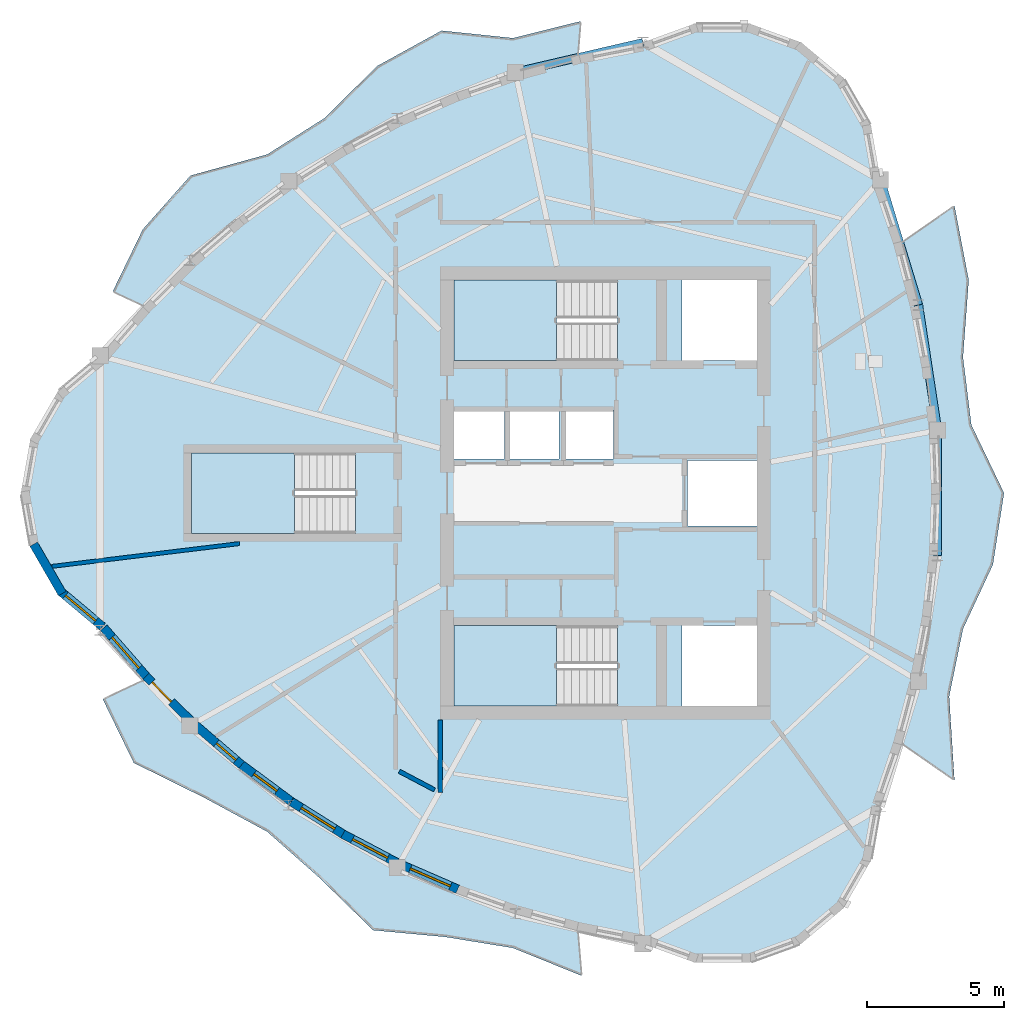
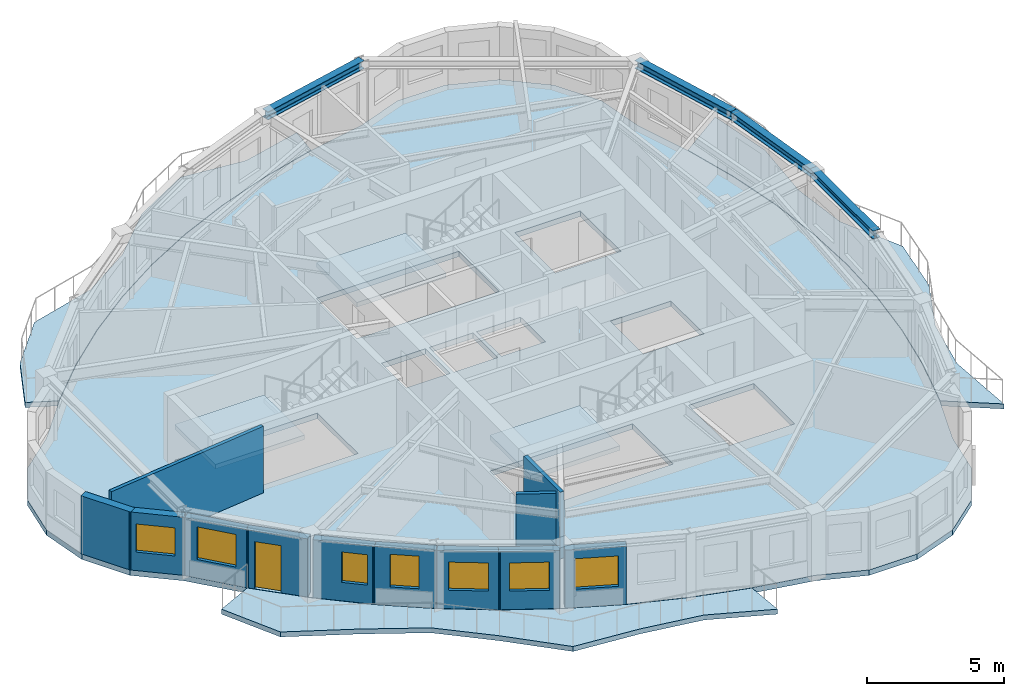
# One storey, part 2 of 11: 12 walls, 7 slabs, 7 windows, 4 beams, 1 door, 8 openings, 3 elements without a shape of their own.
"""IFC4 building model written with IfcOpenShell, lengths in metres."""

from ifc_helpers import new_model, si_unit, direction, frame, frame_2d, origin, origin_2d, place, context, subcontext, project, spatial, polyline, rectangle, i_section, outline, extrude, source, transform, mapped, material, layer, layer_set, material_profile, profile_set, type_object, element, fill, aggregate, save


model = new_model("IFC4")

# Units and contexts
model_context = context("Model", 3, precision=1e-05, world=origin(), true_north=direction((0.0, 1.0)))
body_context = subcontext(model_context, "Body", "Model", "MODEL_VIEW")
ifc_project = project(units=[si_unit("LENGTHUNIT", "METRE"), si_unit("AREAUNIT", "SQUARE_METRE"), si_unit("VOLUMEUNIT", "CUBIC_METRE"), si_unit("PLANEANGLEUNIT", "RADIAN"), si_unit("MASSUNIT", "GRAM", prefix="KILO")], contexts=[model_context])

# Site, building, storey
site_placement = place(None, origin())
site = spatial("IfcSite", under=ifc_project, at=site_placement, CompositionType="ELEMENT")
building_placement = place(site_placement, origin())
building = spatial("IfcBuilding", under=site, at=building_placement, Name="Qafzar Sky-Pleat Residences", CompositionType="ELEMENT")
storey_placement = place(building_placement, frame((0.0, 0.0, 218.0)))
storey = spatial("IfcBuildingStorey", under=building, at=storey_placement, Name="L65", CompositionType="ELEMENT", Elevation=218.0)

# Beams
ifc_material_1 = material(Name="Steel S355", Category="steel")
ifc_material_profile = material_profile(ifc_material_1, i_section(OverallWidth=0.300048828125, OverallDepth=0.360107421875, WebThickness=0.012451171875, FlangeThickness=0.0224609375, FilletRadius=0.027099609375, at=origin_2d()), Name="HEB 360")
ifc_profile_set = profile_set([ifc_material_profile], Name="Steel S355")
beam_type = type_object("IfcBeamType", Name="BM-SPAN-HEB360", PredefinedType="SPANDREL", material=ifc_profile_set)
shared_shape_1 = source(origin(), body_context, "Body", "SweptSolid", [
    extrude(i_section(OverallWidth=0.300048828125, OverallDepth=0.360107421875, WebThickness=0.012451171875, FlangeThickness=0.0224609375, FilletRadius=0.027099609375, at=origin_2d()), origin(), (0.0, 0.0, 1.0), 4.797119140625),
])
beam_1_placement = place(storey_placement, frame((41.8203125, 32.885009765625, 2.778076171875), z_axis=(-0.290847707489, 0.95676936147, 0.0), x_axis=(-0.95676936147, -0.290847707489, 0.0)))
element("IfcBeam", 1, at=beam_1_placement, inside=storey, type_object=beam_type, Name="L65 Perimeter Spandrel Beam 12", PredefinedType="SPANDREL", context=body_context, shape_type="MappedRepresentation", body=[
    mapped(shared_shape_1, transform((0.0, 0.0, 0.0), x_axis=(1.0, 0.0, 0.0), y_axis=(0.0, 1.0, 0.0), z_axis=(0.0, 0.0, 1.0), scale=1.0)),
])
shared_shape_2 = source(origin(), body_context, "Body", "SweptSolid", [
    extrude(i_section(OverallWidth=0.300048828125, OverallDepth=0.360107421875, WebThickness=0.012451171875, FlangeThickness=0.0224609375, FilletRadius=0.027099609375, at=origin_2d()), origin(), (0.0, 0.0, 1.0), 4.797607421875),
])
beam_2_placement = place(storey_placement, frame((31.72509765625, 42.497802734375, 2.778076171875), z_axis=(-0.974009854719, -0.226505635494, 0.0), x_axis=(0.226505635494, -0.974009854719, 0.0)))
element("IfcBeam", 2, at=beam_2_placement, inside=storey, type_object=beam_type, Name="L65 Perimeter Spandrel Beam 14", PredefinedType="SPANDREL", context=body_context, shape_type="MappedRepresentation", body=[
    mapped(shared_shape_2, transform((0.0, 0.0, 0.0), x_axis=(1.0, 0.0, 0.0), y_axis=(0.0, 1.0, 0.0), z_axis=(0.0, 0.0, 1.0), scale=1.0)),
])
shared_shape_3 = source(origin(), body_context, "Body", "SweptSolid", [
    extrude(i_section(OverallWidth=0.300048828125, OverallDepth=0.360107421875, WebThickness=0.012451171875, FlangeThickness=0.0224609375, FilletRadius=0.027099609375, at=origin_2d()), origin(), (0.0, 0.0, 1.0), 4.642822265625),
])
beam_3_placement = place(storey_placement, frame((42.51806640625, 28.294921875, 2.778076171875), z_axis=(-0.150286694564, 0.988642457837, 0.0), x_axis=(-0.988642457837, -0.150286694564, 0.0)))
element("IfcBeam", 3, at=beam_3_placement, inside=storey, type_object=beam_type, Name="L65 Perimeter Spandrel Beam 11", PredefinedType="SPANDREL", context=body_context, shape_type="MappedRepresentation", body=[
    mapped(shared_shape_3, transform((0.0, 0.0, 0.0), x_axis=(1.0, 0.0, 0.0), y_axis=(0.0, 1.0, 0.0), z_axis=(0.0, 0.0, 1.0), scale=1.0)),
])
shared_shape_4 = source(origin(), body_context, "Body", "SweptSolid", [
    extrude(i_section(OverallWidth=0.300048828125, OverallDepth=0.360107421875, WebThickness=0.012451171875, FlangeThickness=0.0224609375, FilletRadius=0.027099609375, at=origin_2d()), origin(), (0.0, 0.0, 1.0), 4.58984375),
])
beam_4_placement = place(storey_placement, frame((42.51806640625, 23.705078125, 2.778076171875), z_axis=(0.0, 1.0, 0.0), x_axis=(-1.0, 0.0, 0.0)))
element("IfcBeam", 4, at=beam_4_placement, inside=storey, type_object=beam_type, Name="L65 Perimeter Spandrel Beam 10", PredefinedType="SPANDREL", context=body_context, shape_type="MappedRepresentation", body=[
    mapped(shared_shape_4, transform((0.0, 0.0, 0.0), x_axis=(1.0, 0.0, 0.0), y_axis=(0.0, 1.0, 0.0), z_axis=(0.0, 0.0, 1.0), scale=1.0)),
])

# Slabs
ifc_material_2 = material(Name="Concrete C40/50", Category="concrete")
ifc_layer_1 = layer(ifc_material_2, 0.219970703125)
ifc_layer_set_1 = layer_set([ifc_layer_1], Name="Concrete C40/50")
slab_type_1 = type_object("IfcSlabType", Name="SLAB-BAL-220", PredefinedType="USERDEFINED", material=ifc_layer_set_1)
slab_1_placement = place(storey_placement, frame((0.0, 0.0, -0.219970703125)))
element("IfcSlab", 5, at=slab_1_placement, inside=storey, type_object=slab_type_1, Name="L65 Pleated Stone Balcony 1", ObjectType="BALCONY", PredefinedType="USERDEFINED", context=body_context, shape_type="SweptSolid", body=[
    extrude(outline(polyline([(41.8310546875, 19.109619140625), (42.267822265625, 21.406494140625), (42.52978515625, 23.703125), (42.6171875, 26.0), (42.52978515625, 28.296875), (42.267822265625, 30.593505859375), (41.8310546875, 32.890380859375), (41.2197265625, 35.186767578125), (43.1337890625, 36.516845703125), (43.6552734375, 33.799072265625), (43.4462890625, 30.972900390625), (43.752685546875, 28.490234375), (44.947998046875, 26.0), (44.54296875, 23.385009765625), (43.4462890625, 21.027099609375), (42.939208984375, 18.5576171875), (43.1337890625, 15.483154296875), (41.2197265625, 16.813232421875), (41.8310546875, 19.109619140625)])), origin(), (0.0, 0.0, 1.0), 0.219970703125),
])
slab_2_placement = place(storey_placement, frame((0.0, 0.0, -0.219970703125)))
element("IfcSlab", 6, at=slab_2_placement, inside=storey, type_object=slab_type_1, Name="L65 Pleated Stone Balcony 2", ObjectType="BALCONY", PredefinedType="USERDEFINED", context=body_context, shape_type="SweptSolid", body=[
    extrude(outline(polyline([(27.051513671875, 41.423095703125), (24.84423828125, 40.653076171875), (22.72412109375, 39.731689453125), (20.69140625, 38.658935546875), (18.74609375, 37.434814453125), (16.887939453125, 36.0595703125), (15.1171875, 34.532958984375), (13.43408203125, 32.855224609375), (12.314208984375, 33.382568359375), (13.418212890625, 35.658203125), (15.159912109375, 37.623779296875), (17.967041015625, 38.397216796875), (20.072509765625, 39.73095703125), (21.993408203125, 41.634033203125), (24.353515625, 42.931640625), (26.9755859375, 42.65869140625), (29.44970703125, 43.275634765625), (29.34619140625, 42.0419921875), (27.051513671875, 41.423095703125)])), origin(), (0.0, 0.0, 1.0), 0.219970703125),
])
slab_3_placement = place(storey_placement, frame((0.0, 0.0, -0.219970703125)))
element("IfcSlab", 7, at=slab_3_placement, inside=storey, type_object=slab_type_1, Name="L65 Pleated Stone Balcony 3", ObjectType="BALCONY", PredefinedType="USERDEFINED", context=body_context, shape_type="SweptSolid", body=[
    extrude(outline(polyline([(15.1171875, 17.467041015625), (16.887939453125, 15.9404296875), (18.74609375, 14.565185546875), (20.69140625, 13.341064453125), (22.72412109375, 12.268310546875), (24.84423828125, 11.346923828125), (27.051513671875, 10.576904296875), (29.34619140625, 9.9580078125), (29.483154296875, 8.32568359375), (26.9755859375, 9.34130859375), (24.49951171875, 9.74560546875), (21.849853515625, 9.99267578125), (19.872314453125, 11.922607421875), (17.967041015625, 13.602783203125), (15.673583984375, 14.84130859375), (13.084716796875, 16.120849609375), (11.9521484375, 18.447265625), (13.43408203125, 19.144775390625), (15.1171875, 17.467041015625)])), origin(), (0.0, 0.0, 1.0), 0.219970703125),
])
ifc_layer_2 = layer(ifc_material_2, 0.239990234375)
ifc_layer_set_2 = layer_set([ifc_layer_2], Name="Concrete C40/50")
slab_type_2 = type_object("IfcSlabType", Name="SLAB-FLR-240", PredefinedType="FLOOR", material=ifc_layer_set_2)
slab_4_placement = place(storey_placement, frame((0.0, 0.0, -0.239990234375)))
element("IfcSlab", 8, at=slab_4_placement, inside=storey, type_object=slab_type_2, Name="L65 Structural Floor Slab", PredefinedType="FLOOR", context=body_context, shape_type="SweptSolid", body=[
    extrude(outline(polyline([(11.85009765625, 31.02294921875), (10.306884765625, 29.728271484375), (9.2998046875, 27.983642578125), (8.949951171875, 26.0), (9.2998046875, 24.016357421875), (10.306884765625, 22.271728515625), (11.85009765625, 20.97705078125), (13.445068359375, 19.14990234375), (15.127197265625, 17.4736328125), (16.896728515625, 15.948486328125), (18.75341796875, 14.574462890625), (20.697509765625, 13.3515625), (22.728515625, 12.279541015625), (24.8466796875, 11.358642578125), (27.05224609375, 10.5888671875), (29.34521484375, 9.969970703125), (31.72509765625, 9.502197265625), (33.617919921875, 8.813232421875), (35.632080078125, 8.813232421875), (37.52490234375, 9.502197265625), (39.068115234375, 10.797119140625), (40.0751953125, 12.54150390625), (40.425048828125, 14.525146484375), (41.2099609375, 16.820068359375), (41.8203125, 19.114990234375), (42.25634765625, 21.41015625), (42.51806640625, 23.705078125), (42.605224609375, 26.0), (42.51806640625, 28.294921875), (42.25634765625, 30.58984375), (41.8203125, 32.885009765625), (41.2099609375, 35.179931640625), (40.425048828125, 37.474853515625), (40.0751953125, 39.45849609375), (39.068115234375, 41.202880859375), (37.52490234375, 42.497802734375), (35.632080078125, 43.186767578125), (33.617919921875, 43.186767578125), (31.72509765625, 42.497802734375), (29.34521484375, 42.030029296875), (27.05224609375, 41.4111328125), (24.8466796875, 40.641357421875), (22.728515625, 39.720458984375), (20.697509765625, 38.6484375), (18.75341796875, 37.425537109375), (16.896728515625, 36.051513671875), (15.127197265625, 34.5263671875), (13.445068359375, 32.85009765625), (11.85009765625, 31.02294921875)]), holes=[polyline([(30.797119140625, 21.14990234375), (24.800048828125, 21.14990234375), (24.800048828125, 18.199951171875), (30.797119140625, 18.199951171875), (30.797119140625, 21.14990234375)]), polyline([(30.797119140625, 33.800048828125), (24.800048828125, 33.800048828125), (24.800048828125, 30.85009765625), (30.797119140625, 30.85009765625), (30.797119140625, 33.800048828125)]), polyline([(21.197021484375, 27.47509765625), (15.199951171875, 27.47509765625), (15.199951171875, 24.52490234375), (21.197021484375, 24.52490234375), (21.197021484375, 27.47509765625)]), polyline([(24.800048828125, 27.25), (26.64990234375, 27.25), (26.64990234375, 29.050048828125), (24.800048828125, 29.050048828125), (24.800048828125, 27.25)]), polyline([(26.800048828125, 27.25), (28.64990234375, 27.25), (28.64990234375, 29.050048828125), (26.800048828125, 29.050048828125), (26.800048828125, 27.25)]), polyline([(28.800048828125, 27.25), (30.64990234375, 27.25), (30.64990234375, 29.050048828125), (28.800048828125, 29.050048828125), (28.800048828125, 27.25)]), polyline([(33.14990234375, 18.199951171875), (35.89990234375, 18.199951171875), (35.89990234375, 21.14990234375), (33.14990234375, 21.14990234375), (33.14990234375, 18.199951171875)]), polyline([(33.14990234375, 30.85009765625), (35.89990234375, 30.85009765625), (35.89990234375, 33.800048828125), (33.14990234375, 33.800048828125), (33.14990234375, 30.85009765625)]), polyline([(33.35009765625, 24.800048828125), (35.89990234375, 24.800048828125), (35.89990234375, 27.199951171875), (33.35009765625, 27.199951171875), (33.35009765625, 24.800048828125)])]), origin(), (0.0, 0.0, 1.0), 0.239990234375),
])

# Stair, slab
stair_type = type_object("IfcStairType", Name="STAIR-H320", PredefinedType="HALF_TURN_STAIR", material=ifc_material_2)
stair_1_placement = place(storey_placement, origin())
stair_1 = element("IfcStair", 9, at=stair_1_placement, inside=storey, type_object=stair_type, Name="L65 Protected Exit Stair ST1", PredefinedType="HALF_TURN_STAIR")
ifc_layer_3 = layer(ifc_material_2, 0.199951171875)
ifc_layer_set_3 = layer_set([ifc_layer_3], Name="Concrete C40/50")
slab_type_3 = type_object("IfcSlabType", Name="SLAB-LANDING-200", PredefinedType="LANDING", material=ifc_layer_set_3)
slab_5_placement = place(storey_placement, frame((0.0, 0.0, 1.39990234375)))
slab_5 = element("IfcSlab", 10, at=slab_5_placement, type_object=slab_type_3, Name="ST1 landing 1", PredefinedType="LANDING", context=body_context, shape_type="SweptSolid", body=[
    extrude(outline(polyline([(28.56005859375, 21.14990234375), (24.800048828125, 21.14990234375), (24.800048828125, 18.199951171875), (28.56005859375, 18.199951171875), (28.56005859375, 21.14990234375)])), origin(), (0.0, 0.0, 1.0), 0.2001953125),
])
aggregate(stair_1, [slab_5])

stair_2_placement = place(storey_placement, origin())
stair_2 = element("IfcStair", 11, at=stair_2_placement, inside=storey, type_object=stair_type, Name="L65 Protected Exit Stair ST2", PredefinedType="HALF_TURN_STAIR")
slab_6_placement = place(storey_placement, frame((0.0, 0.0, 1.39990234375)))
slab_6 = element("IfcSlab", 12, at=slab_6_placement, type_object=slab_type_3, Name="ST2 landing 1", PredefinedType="LANDING", context=body_context, shape_type="SweptSolid", body=[
    extrude(outline(polyline([(28.56005859375, 33.800048828125), (24.800048828125, 33.800048828125), (24.800048828125, 30.85009765625), (28.56005859375, 30.85009765625), (28.56005859375, 33.800048828125)])), origin(), (0.0, 0.0, 1.0), 0.2001953125),
])
aggregate(stair_2, [slab_6])

stair_3_placement = place(storey_placement, origin())
stair_3 = element("IfcStair", 13, at=stair_3_placement, inside=storey, type_object=stair_type, Name="L65 Protected Exit Stair ST3", PredefinedType="HALF_TURN_STAIR")
slab_7_placement = place(storey_placement, frame((0.0, 0.0, 1.39990234375)))
slab_7 = element("IfcSlab", 14, at=slab_7_placement, type_object=slab_type_3, Name="ST3 landing 1", PredefinedType="LANDING", context=body_context, shape_type="SweptSolid", body=[
    extrude(outline(polyline([(18.9599609375, 27.47509765625), (15.199951171875, 27.47509765625), (15.199951171875, 24.52490234375), (18.9599609375, 24.52490234375), (18.9599609375, 27.47509765625)])), origin(), (0.0, 0.0, 1.0), 0.2001953125),
])
aggregate(stair_3, [slab_7])

# Walls
ifc_material_3 = material(Name="Acoustic gypsum plasterboard partition", Category="gypsum")
ifc_layer_4 = layer(ifc_material_3, 0.159912109375)
ifc_layer_set_4 = layer_set([ifc_layer_4], Name="Acoustic gypsum plasterboard partition")
wall_type_1 = type_object("IfcWallType", Name="PART-COR-160", PredefinedType="PARTITIONING", material=ifc_layer_set_4)
wall_1_placement = place(storey_placement, frame((24.300048828125, 15.0419921875, 0.0), z_axis=(0.0, 0.0, 1.0), x_axis=(0.0, 1.0, 0.0)))
element("IfcWall", 15, at=wall_1_placement, inside=storey, type_object=wall_type_1, Name="L65 Partition Wall PART-L65-PW-021", PredefinedType="PARTITIONING", context=body_context, shape_type="SweptSolid", body=[
    extrude(rectangle(XDim=2.64990234375, YDim=0.159912109375, at=frame_2d((1.324951171875, 0.0))), origin(), (0.0, 0.0, 1.0), 2.9599609375),
])
wall_2_placement = place(storey_placement, frame((22.804443359375, 15.8125, 0.0), z_axis=(0.0, 0.0, 1.0), x_axis=(0.884396237216, -0.466736859052, 0.0)))
element("IfcWall", 16, at=wall_2_placement, inside=storey, type_object=wall_type_1, Name="L65 Partition Wall PART-L65-PW-024", PredefinedType="PARTITIONING", context=body_context, shape_type="SweptSolid", body=[
    extrude(rectangle(XDim=1.462646484375, YDim=0.159912109375, at=frame_2d((0.7314453125, 0.0))), origin(), (0.0, 0.0, 1.0), 2.9599609375),
])
ifc_layer_5 = layer(ifc_material_3, 0.14501953125)
ifc_layer_set_5 = layer_set([ifc_layer_5], Name="Acoustic gypsum plasterboard partition")
wall_type_2 = type_object("IfcWallType", Name="PART-UNIT-145", PredefinedType="PARTITIONING", material=ifc_layer_set_5)
wall_3_placement = place(storey_placement, frame((10.087158203125, 23.31494140625, 0.0), z_axis=(0.0, 0.0, 1.0), x_axis=(0.992692853732, 0.120668546642, 0.0)))
element("IfcWall", 17, at=wall_3_placement, inside=storey, type_object=wall_type_2, Name="L65 Partition Wall PART-L65-PW-013", PredefinedType="PARTITIONING", context=body_context, shape_type="SweptSolid", body=[
    extrude(rectangle(XDim=6.91943359375, YDim=0.14501953125, at=frame_2d((3.459716796875, 0.0))), origin(), (0.0, 0.0, 1.0), 2.9599609375),
])
ifc_material_4 = material(Name="Precast concrete C40/50 with honed Riyadh limestone", Category="concrete")
ifc_layer_6 = layer(ifc_material_4, 0.320068359375)
ifc_layer_set_6 = layer_set([ifc_layer_6], Name="Precast concrete C40/50 with honed Riyadh limestone")
wall_type_3 = type_object("IfcWallType", Name="WALL-EXT-320", PredefinedType="SOLIDWALL", material=ifc_layer_set_6)
wall_4_placement = place(storey_placement, frame((9.41943359375, 24.129150390625, 0.0), z_axis=(0.0, 0.0, 1.0), x_axis=(0.499995423472, -0.866028046028, 0.0)))
element("IfcWall", 18, at=wall_4_placement, inside=storey, type_object=wall_type_3, Name="L65 Limestone Facade Wall 5", PredefinedType="SOLIDWALL", context=body_context, shape_type="SweptSolid", body=[
    extrude(rectangle(XDim=2.09033203125, YDim=0.320068359375, at=frame_2d((1.045166015625, 0.0))), origin(), (0.0, 0.0, 1.0), 2.580078125),
])

# Wall, opening, window
wall_5_placement = place(storey_placement, frame((10.380615234375, 22.418701171875, 0.0), z_axis=(0.0, 0.0, 1.0), x_axis=(0.766099948115, -0.642721455608, 0.0)))
wall_5 = element("IfcWall", 19, at=wall_5_placement, inside=storey, type_object=wall_type_3, Name="L65 Limestone Facade Wall 6", PredefinedType="SOLIDWALL", context=body_context, shape_type="SweptSolid", body=[
    extrude(rectangle(XDim=2.0322265625, YDim=0.320068359375, at=frame_2d((1.01611328125, 0.0))), origin(), (0.0, 0.0, 1.0), 2.580078125),
])
opening_1_placement = place(wall_5_placement, frame((0.26123046875, 0.0, 0.820068359375)))
opening_1 = element("IfcOpeningElement", 20, at=opening_1_placement, cuts=wall_5, Name="Opening WN-15", PredefinedType="OPENING", context=body_context, shape_type="SweptSolid", body=[
    extrude(rectangle(XDim=1.449951171875, YDim=1.25, at=frame_2d((0.72509765625, 0.625))), frame((0.0, 0.169921875, 0.0), z_axis=(0.0, -1.0, 0.0), x_axis=(1.0, 0.0, 0.0)), (0.0, 0.0, 1.0), 0.340087890625),
])
ifc_material_5 = material(Name="Solar-control low-E glass in bronze aluminium frame", Category="glass")
window_type_1 = type_object("IfcWindowType", Name="WIN-15", PartitioningType="SINGLE_PANEL", PredefinedType="WINDOW", material=ifc_material_5)
shared_shape_5 = source(origin(), body_context, "Body", "SweptSolid", [
    extrude(rectangle(XDim=1.449951171875, YDim=1.25, at=frame_2d((0.72509765625, 0.625))), frame((0.0, 0.030029296875, 0.0), z_axis=(0.0, -1.0, 0.0), x_axis=(1.0, 0.0, 0.0)), (0.0, 0.0, 1.0), 0.06005859375),
])
window_1_placement = place(opening_1_placement, origin())
window_1 = element("IfcWindow", 21, at=window_1_placement, inside=storey, type_object=window_type_1, Name="L65 Punched Facade Window 06", OverallHeight=1.25, OverallWidth=1.449951171875, PartitioningType="SINGLE_PANEL", PredefinedType="WINDOW", context=body_context, shape_type="MappedRepresentation", body=[
    mapped(shared_shape_5, transform((0.0, 0.0, 0.0), x_axis=(1.0, 0.0, 0.0), y_axis=(0.0, 1.0, 0.0), z_axis=(0.0, 0.0, 1.0), scale=1.0)),
])
fill(opening_1, window_1)

wall_6_placement = place(storey_placement, frame((11.983642578125, 21.0673828125, 0.0), z_axis=(0.0, 0.0, 1.0), x_axis=(0.657577552216, -0.753386861328, 0.0)))
wall_6 = element("IfcWall", 22, at=wall_6_placement, inside=storey, type_object=wall_type_3, Name="L65 Limestone Facade Wall 7", PredefinedType="SOLIDWALL", context=body_context, shape_type="SweptSolid", body=[
    extrude(rectangle(XDim=2.443603515625, YDim=0.320068359375, at=frame_2d((1.2216796875, 0.0))), origin(), (0.0, 0.0, 1.0), 2.580078125),
])
opening_2_placement = place(wall_6_placement, frame((0.4619140625, 0.0, 0.820068359375)))
opening_2 = element("IfcOpeningElement", 23, at=opening_2_placement, cuts=wall_6, Name="Opening WN-03", PredefinedType="OPENING", context=body_context, shape_type="SweptSolid", body=[
    extrude(rectangle(XDim=1.5, YDim=1.449951171875, at=frame_2d((0.75, 0.72509765625))), frame((0.0, 0.169921875, 0.0), z_axis=(0.0, -1.0, 0.0), x_axis=(1.0, 0.0, 0.0)), (0.0, 0.0, 1.0), 0.340087890625),
])
window_type_2 = type_object("IfcWindowType", Name="WIN-03", PartitioningType="DOUBLE_PANEL_VERTICAL", PredefinedType="WINDOW", material=ifc_material_5)
shared_shape_6 = source(origin(), body_context, "Body", "SweptSolid", [
    extrude(rectangle(XDim=1.5, YDim=1.449951171875, at=frame_2d((0.75, 0.72509765625))), frame((0.0, 0.030029296875, 0.0), z_axis=(0.0, -1.0, 0.0), x_axis=(1.0, 0.0, 0.0)), (0.0, 0.0, 1.0), 0.06005859375),
])
window_2_placement = place(opening_2_placement, origin())
window_2 = element("IfcWindow", 24, at=window_2_placement, inside=storey, type_object=window_type_2, Name="L65 Punched Facade Window 07", OverallHeight=1.449951171875, OverallWidth=1.5, PartitioningType="SINGLE_PANEL", PredefinedType="WINDOW", context=body_context, shape_type="MappedRepresentation", body=[
    mapped(shared_shape_6, transform((0.0, 0.0, 0.0), x_axis=(1.0, 0.0, 0.0), y_axis=(0.0, 1.0, 0.0), z_axis=(0.0, 0.0, 1.0), scale=1.0)),
])
fill(opening_2, window_2)

# Wall, opening, door
wall_7_placement = place(storey_placement, frame((13.531005859375, 19.2900390625, 0.0), z_axis=(0.0, 0.0, 1.0), x_axis=(0.708419394795, -0.705791726417, 0.0)))
wall_7 = element("IfcWall", 25, at=wall_7_placement, inside=storey, type_object=wall_type_3, Name="L65 Limestone Facade Wall 8", PredefinedType="SOLIDWALL", context=body_context, shape_type="SweptSolid", body=[
    extrude(rectangle(XDim=2.32275390625, YDim=0.320068359375, at=frame_2d((1.161376953125, 0.0))), origin(), (0.0, 0.0, 1.0), 2.580078125),
])
opening_3_placement = place(wall_7_placement, frame((0.31298828125, 0.0, 0.0)))
opening_3 = element("IfcOpeningElement", 26, at=opening_3_placement, cuts=wall_7, Name="Opening ED-05", PredefinedType="OPENING", context=body_context, shape_type="SweptSolid", body=[
    extrude(rectangle(XDim=1.0, YDim=2.10009765625, at=frame_2d((0.5, 1.050048828125))), frame((0.0, 0.169921875, 0.0), z_axis=(0.0, -1.0, 0.0), x_axis=(1.0, 0.0, 0.0)), (0.0, 0.0, 1.0), 0.340087890625),
])
ifc_material_6 = material(Name="Glazed bronze aluminium door", Category="aluminium")
door_type = type_object("IfcDoorType", Name="DR-BAL-1000", OperationType="NOTDEFINED", PredefinedType="DOOR", material=ifc_material_6)
shared_shape_7 = source(origin(), body_context, "Body", "SweptSolid", [
    extrude(rectangle(XDim=1.0, YDim=2.10009765625, at=frame_2d((0.5, 1.050048828125))), frame((0.0, 0.02490234375, 0.0), z_axis=(0.0, -1.0, 0.0), x_axis=(1.0, 0.0, 0.0)), (0.0, 0.0, 1.0), 0.050048828125),
])
door_placement = place(opening_3_placement, origin())
door = element("IfcDoor", 27, at=door_placement, inside=storey, type_object=door_type, Name="L65 Glazed Balcony Door 3", OperationType="SINGLE_SWING_LEFT", OverallHeight=2.10009765625, OverallWidth=1.0, PredefinedType="DOOR", context=body_context, shape_type="MappedRepresentation", body=[
    mapped(shared_shape_7, transform((0.0, 0.0, 0.0), x_axis=(1.0, 0.0, 0.0), y_axis=(0.0, 1.0, 0.0), z_axis=(0.0, 0.0, 1.0), scale=1.0)),
])
fill(opening_3, door)

# Wall, opening, window
wall_8_placement = place(storey_placement, frame((15.2998046875, 17.5361328125, 0.0), z_axis=(0.0, 0.0, 1.0), x_axis=(0.757488333031, -0.652848700177, 0.0)))
wall_8 = element("IfcWall", 28, at=wall_8_placement, inside=storey, type_object=wall_type_3, Name="L65 Limestone Facade Wall 9", PredefinedType="SOLIDWALL", context=body_context, shape_type="SweptSolid", body=[
    extrude(rectangle(XDim=2.2841796875, YDim=0.320068359375, at=frame_2d((1.14208984375, 0.0))), origin(), (0.0, 0.0, 1.0), 2.580078125),
])
opening_4_placement = place(wall_8_placement, frame((1.06689453125, 0.0, 0.820068359375)))
opening_4 = element("IfcOpeningElement", 29, at=opening_4_placement, cuts=wall_8, Name="Opening WN-12", PredefinedType="OPENING", context=body_context, shape_type="SweptSolid", body=[
    extrude(rectangle(XDim=0.949951171875, YDim=1.35009765625, at=frame_2d((0.47509765625, 0.675048828125))), frame((0.0, 0.169921875, 0.0), z_axis=(0.0, -1.0, 0.0), x_axis=(1.0, 0.0, 0.0)), (0.0, 0.0, 1.0), 0.340087890625),
])
window_type_3 = type_object("IfcWindowType", Name="WIN-12", PartitioningType="SINGLE_PANEL", PredefinedType="WINDOW", material=ifc_material_5)
shared_shape_8 = source(origin(), body_context, "Body", "SweptSolid", [
    extrude(rectangle(XDim=0.949951171875, YDim=1.35009765625, at=frame_2d((0.47509765625, 0.675048828125))), frame((0.0, 0.030029296875, 0.0), z_axis=(0.0, -1.0, 0.0), x_axis=(1.0, 0.0, 0.0)), (0.0, 0.0, 1.0), 0.06005859375),
])
window_3_placement = place(opening_4_placement, origin())
window_3 = element("IfcWindow", 30, at=window_3_placement, inside=storey, type_object=window_type_3, Name="L65 Punched Facade Window 09-2", OverallHeight=1.35009765625, OverallWidth=0.949951171875, PartitioningType="SINGLE_PANEL", PredefinedType="WINDOW", context=body_context, shape_type="MappedRepresentation", body=[
    mapped(shared_shape_8, transform((0.0, 0.0, 0.0), x_axis=(1.0, 0.0, 0.0), y_axis=(0.0, 1.0, 0.0), z_axis=(0.0, 0.0, 1.0), scale=1.0)),
])
fill(opening_4, window_3)

wall_9_placement = place(storey_placement, frame((16.96142578125, 16.099853515625, 0.0), z_axis=(0.0, 0.0, 1.0), x_axis=(0.803809802043, -0.594886377504, 0.0)))
wall_9 = element("IfcWall", 31, at=wall_9_placement, inside=storey, type_object=wall_type_3, Name="L65 Limestone Facade Wall 10", PredefinedType="SOLIDWALL", context=body_context, shape_type="SweptSolid", body=[
    extrude(rectangle(XDim=2.327880859375, YDim=0.320068359375, at=frame_2d((1.1640625, 0.0))), origin(), (0.0, 0.0, 1.0), 2.580078125),
])
opening_5_placement = place(wall_9_placement, frame((0.64892578125, 0.0, 0.820068359375)))
opening_5 = element("IfcOpeningElement", 32, at=opening_5_placement, cuts=wall_9, Name="Opening WN-06", PredefinedType="OPENING", context=body_context, shape_type="SweptSolid", body=[
    extrude(rectangle(XDim=1.050048828125, YDim=1.449951171875, at=frame_2d((0.52490234375, 0.72509765625))), frame((0.0, 0.169921875, 0.0), z_axis=(0.0, -1.0, 0.0), x_axis=(1.0, 0.0, 0.0)), (0.0, 0.0, 1.0), 0.340087890625),
])
window_type_4 = type_object("IfcWindowType", Name="WIN-06", PartitioningType="SINGLE_PANEL", PredefinedType="WINDOW", material=ifc_material_5)
shared_shape_9 = source(origin(), body_context, "Body", "SweptSolid", [
    extrude(rectangle(XDim=1.050048828125, YDim=1.449951171875, at=frame_2d((0.52490234375, 0.72509765625))), frame((0.0, 0.030029296875, 0.0), z_axis=(0.0, -1.0, 0.0), x_axis=(1.0, 0.0, 0.0)), (0.0, 0.0, 1.0), 0.06005859375),
])
window_4_placement = place(opening_5_placement, origin())
window_4 = element("IfcWindow", 33, at=window_4_placement, inside=storey, type_object=window_type_4, Name="L65 Punched Facade Window 10", OverallHeight=1.449951171875, OverallWidth=1.050048828125, PartitioningType="SINGLE_PANEL", PredefinedType="WINDOW", context=body_context, shape_type="MappedRepresentation", body=[
    mapped(shared_shape_9, transform((0.0, 0.0, 0.0), x_axis=(1.0, 0.0, 0.0), y_axis=(0.0, 1.0, 0.0), z_axis=(0.0, 0.0, 1.0), scale=1.0)),
])
fill(opening_5, window_4)

wall_10_placement = place(storey_placement, frame((18.855712890625, 14.69921875, 0.0), z_axis=(0.0, 0.0, 1.0), x_axis=(0.846430078552, -0.532499879927, 0.0)))
wall_10 = element("IfcWall", 34, at=wall_10_placement, inside=storey, type_object=wall_type_3, Name="L65 Limestone Facade Wall 11", PredefinedType="SOLIDWALL", context=body_context, shape_type="SweptSolid", body=[
    extrude(rectangle(XDim=2.314453125, YDim=0.320068359375, at=frame_2d((1.1572265625, 0.0))), origin(), (0.0, 0.0, 1.0), 2.580078125),
])
opening_6_placement = place(wall_10_placement, frame((0.42236328125, 0.0, 0.820068359375)))
opening_6 = element("IfcOpeningElement", 35, at=opening_6_placement, cuts=wall_10, Name="Opening WN-15", PredefinedType="OPENING", context=body_context, shape_type="SweptSolid", body=[
    extrude(rectangle(XDim=1.449951171875, YDim=1.25, at=frame_2d((0.72509765625, 0.625))), frame((0.0, 0.169921875, 0.0), z_axis=(0.0, -1.0, 0.0), x_axis=(1.0, 0.0, 0.0)), (0.0, 0.0, 1.0), 0.340087890625),
])
window_5_placement = place(opening_6_placement, origin())
window_5 = element("IfcWindow", 36, at=window_5_placement, inside=storey, type_object=window_type_1, Name="L65 Punched Facade Window 11", OverallHeight=1.25, OverallWidth=1.449951171875, PartitioningType="SINGLE_PANEL", PredefinedType="WINDOW", context=body_context, shape_type="MappedRepresentation", body=[
    mapped(shared_shape_5, transform((0.0, 0.0, 0.0), x_axis=(1.0, 0.0, 0.0), y_axis=(0.0, 1.0, 0.0), z_axis=(0.0, 0.0, 1.0), scale=1.0)),
])
fill(opening_6, window_5)

wall_11_placement = place(storey_placement, frame((20.738525390625, 13.5107421875, 0.0), z_axis=(0.0, 0.0, 1.0), x_axis=(0.884400965922, -0.466727898754, 0.0)))
wall_11 = element("IfcWall", 37, at=wall_11_placement, inside=storey, type_object=wall_type_3, Name="L65 Limestone Facade Wall 12", PredefinedType="SOLIDWALL", context=body_context, shape_type="SweptSolid", body=[
    extrude(rectangle(XDim=2.24462890625, YDim=0.320068359375, at=frame_2d((1.122314453125, 0.0))), origin(), (0.0, 0.0, 1.0), 2.580078125),
])
opening_7_placement = place(wall_11_placement, frame((0.40234375, 0.0, 0.820068359375)))
opening_7 = element("IfcOpeningElement", 38, at=opening_7_placement, cuts=wall_11, Name="Opening WN-15", PredefinedType="OPENING", context=body_context, shape_type="SweptSolid", body=[
    extrude(rectangle(XDim=1.449951171875, YDim=1.25, at=frame_2d((0.72509765625, 0.625))), frame((0.0, 0.169921875, 0.0), z_axis=(0.0, -1.0, 0.0), x_axis=(1.0, 0.0, 0.0)), (0.0, 0.0, 1.0), 0.340087890625),
])
window_6_placement = place(opening_7_placement, origin())
window_6 = element("IfcWindow", 39, at=window_6_placement, inside=storey, type_object=window_type_1, Name="L65 Punched Facade Window 12", OverallHeight=1.25, OverallWidth=1.449951171875, PartitioningType="SINGLE_PANEL", PredefinedType="WINDOW", context=body_context, shape_type="MappedRepresentation", body=[
    mapped(shared_shape_5, transform((0.0, 0.0, 0.0), x_axis=(1.0, 0.0, 0.0), y_axis=(0.0, 1.0, 0.0), z_axis=(0.0, 0.0, 1.0), scale=1.0)),
])
fill(opening_7, window_6)

wall_12_placement = place(storey_placement, frame((22.874755859375, 12.390380859375, 0.0), z_axis=(0.0, 0.0, 1.0), x_axis=(0.917085527854, -0.398690524844, 0.0)))
wall_12 = element("IfcWall", 40, at=wall_12_placement, inside=storey, type_object=wall_type_3, Name="L65 Limestone Facade Wall 13", PredefinedType="SOLIDWALL", context=body_context, shape_type="SweptSolid", body=[
    extrude(rectangle(XDim=2.2578125, YDim=0.320068359375, at=frame_2d((1.12890625, 0.0))), origin(), (0.0, 0.0, 1.0), 2.580078125),
])
opening_8_placement = place(wall_12_placement, frame((0.364013671875, 0.0, 0.820068359375)))
opening_8 = element("IfcOpeningElement", 41, at=opening_8_placement, cuts=wall_12, Name="Opening WN-09", PredefinedType="OPENING", context=body_context, shape_type="SweptSolid", body=[
    extrude(rectangle(XDim=1.60009765625, YDim=1.35009765625, at=frame_2d((0.800048828125, 0.675048828125))), frame((0.0, 0.169921875, 0.0), z_axis=(0.0, -1.0, 0.0), x_axis=(1.0, 0.0, 0.0)), (0.0, 0.0, 1.0), 0.340087890625),
])
window_type_5 = type_object("IfcWindowType", Name="WIN-09", PartitioningType="DOUBLE_PANEL_VERTICAL", PredefinedType="WINDOW", material=ifc_material_5)
shared_shape_10 = source(origin(), body_context, "Body", "SweptSolid", [
    extrude(rectangle(XDim=1.60009765625, YDim=1.35009765625, at=frame_2d((0.800048828125, 0.675048828125))), frame((0.0, 0.030029296875, 0.0), z_axis=(0.0, -1.0, 0.0), x_axis=(1.0, 0.0, 0.0)), (0.0, 0.0, 1.0), 0.06005859375),
])
window_7_placement = place(opening_8_placement, origin())
window_7 = element("IfcWindow", 42, at=window_7_placement, inside=storey, type_object=window_type_5, Name="L65 Punched Facade Window 13", OverallHeight=1.35009765625, OverallWidth=1.60009765625, PartitioningType="SINGLE_PANEL", PredefinedType="WINDOW", context=body_context, shape_type="MappedRepresentation", body=[
    mapped(shared_shape_10, transform((0.0, 0.0, 0.0), x_axis=(1.0, 0.0, 0.0), y_axis=(0.0, 1.0, 0.0), z_axis=(0.0, 0.0, 1.0), scale=1.0)),
])
fill(opening_8, window_7)

save(model, "model.ifc")
